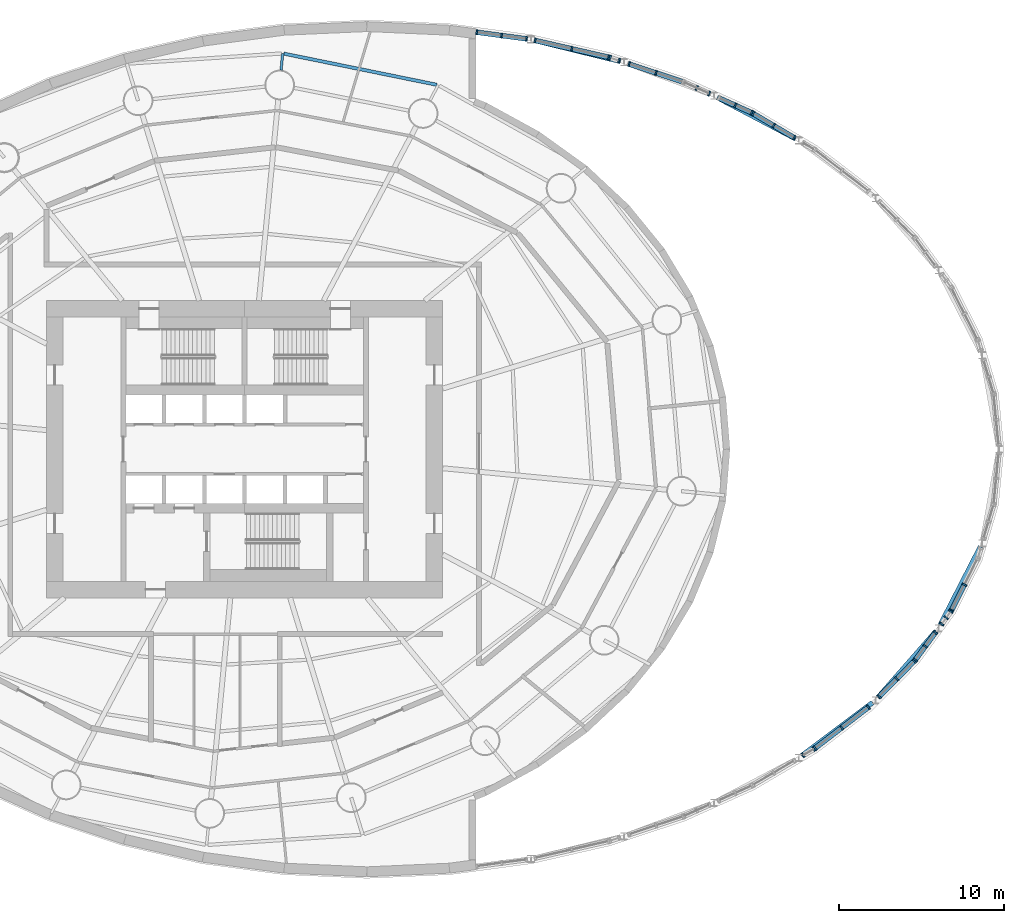
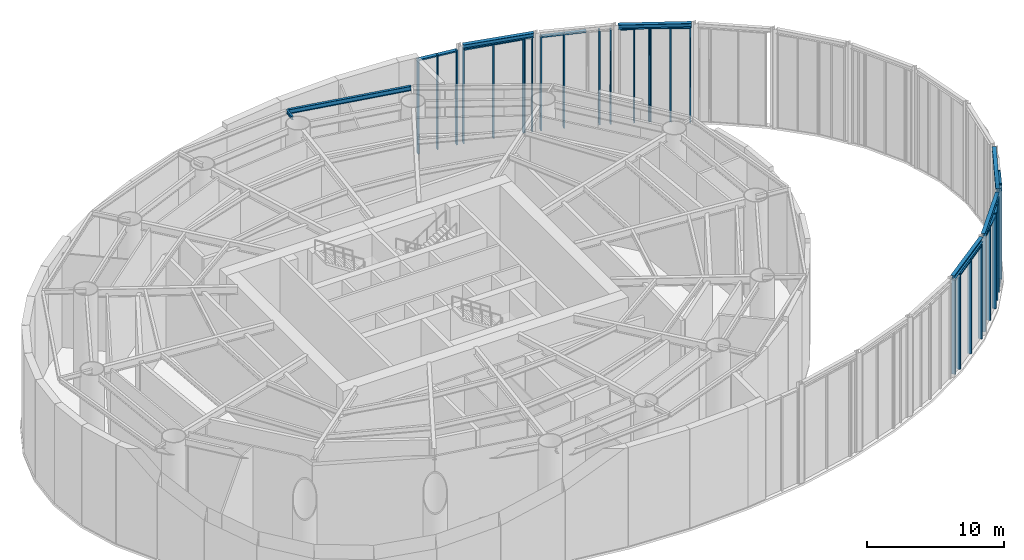
# One storey, part 7 of 19: 50 members, 7 beams, 13 elements without a shape of their own.
"""IFC4 building model written with IfcOpenShell, lengths in metres."""

from ifc_helpers import new_model, si_unit, direction, frame, origin, origin_2d, place, context, subcontext, project, spatial, rectangle, i_section, extrude, material, material_profile, profile_set, type_object, element, aggregate, save


model = new_model("IFC4")

# Units and contexts
model_context = context("Model", 3, precision=1e-05, world=origin(), true_north=direction((0.0, 1.0)))
body_context = subcontext(model_context, "Body", "Model", "MODEL_VIEW")
ifc_project = project(units=[si_unit("LENGTHUNIT", "METRE"), si_unit("AREAUNIT", "SQUARE_METRE"), si_unit("VOLUMEUNIT", "CUBIC_METRE"), si_unit("PLANEANGLEUNIT", "RADIAN"), si_unit("MASSUNIT", "GRAM", prefix="KILO")], contexts=[model_context])

# Site, building, storey
site_placement = place(None, origin())
site = spatial("IfcSite", under=ifc_project, at=site_placement, CompositionType="ELEMENT")
building_placement = place(site_placement, origin())
building = spatial("IfcBuilding", under=site, at=building_placement, Name="Vermilion Reach Broadcast Tower", CompositionType="ELEMENT")
storey_placement = place(building_placement, frame((0.0, 0.0, 8.0)))
storey = spatial("IfcBuildingStorey", under=building, at=storey_placement, Name="L01", CompositionType="ELEMENT", Elevation=8.0)

# Curtain wall, members
ifc_material_1 = material(Name="Low-e laminated clear glass in aluminium frame", Category="aluminium")
curtain_wall_type = type_object("IfcCurtainWallType", Name="Atrium outer wall curtain wall", PredefinedType="NOTDEFINED", material=ifc_material_1)
placement = place(storey_placement, origin())
curtain_wall_1 = element("IfcCurtainWall", 1, at=placement, inside=storey, type_object=curtain_wall_type, Name="Atrium wall L01 05-2", PredefinedType="NOTDEFINED")
ifc_material_2 = material(Name="Anodised aluminium", Category="aluminium")
ifc_material_profile_1 = material_profile(ifc_material_2, rectangle(XDim=0.300048828125, YDim=0.10009765625, at=origin_2d()), Name="Atrium outer wall mullion 100 x 300")
ifc_profile_set_1 = profile_set([ifc_material_profile_1], Name="Anodised aluminium")
member_type_1 = type_object("IfcMemberType", Name="Atrium outer wall mullion 100 x 300", PredefinedType="MULLION", material=ifc_profile_set_1)
member_1_placement = place(storey_placement, frame((27.849609375, -18.5361328125, 0.0), z_axis=(0.0, 0.0, 1.0), x_axis=(-0.508589622127, 0.861009057017, 0.0)))
member_1 = element("IfcMember", 2, at=member_1_placement, type_object=member_type_1, Name="Atrium wall mullion L01 05-2.1", PredefinedType="MULLION", context=body_context, shape_type="SweptSolid", body=[
    extrude(rectangle(XDim=0.300048828125, YDim=0.10009765625, at=origin_2d()), origin(), (0.0, 0.0, 1.0), 8.409912109375),
])
member_2_placement = place(storey_placement, frame((28.48388671875, -18.161376953125, 0.0), z_axis=(0.0, 0.0, 1.0), x_axis=(-0.508589622127, 0.861009057017, 0.0)))
member_2 = element("IfcMember", 3, at=member_2_placement, type_object=member_type_1, Name="Atrium wall mullion L01 05-2.2", PredefinedType="MULLION", context=body_context, shape_type="SweptSolid", body=[
    extrude(rectangle(XDim=0.300048828125, YDim=0.10009765625, at=origin_2d()), origin(), (0.0, 0.0, 1.0), 8.409912109375),
])
aggregate(curtain_wall_1, [member_1, member_2])

curtain_wall_2 = element("IfcCurtainWall", 4, at=placement, inside=storey, type_object=curtain_wall_type, Name="Atrium wall L01 06", PredefinedType="NOTDEFINED")
member_3_placement = place(storey_placement, frame((28.566650390625, -18.10546875, 0.0), z_axis=(0.0, 0.0, 1.0), x_axis=(-0.609113924113, 0.793082736826, 0.0)))
member_3 = element("IfcMember", 5, at=member_3_placement, type_object=member_type_1, Name="Atrium wall mullion L01 06.1", PredefinedType="MULLION", context=body_context, shape_type="SweptSolid", body=[
    extrude(rectangle(XDim=0.300048828125, YDim=0.10009765625, at=origin_2d()), origin(), (0.0, 0.0, 1.0), 8.409912109375),
])
member_4_placement = place(storey_placement, frame((30.17626953125, -16.869140625, 0.0), z_axis=(0.0, 0.0, 1.0), x_axis=(-0.609113924113, 0.793082736826, 0.0)))
member_4 = element("IfcMember", 6, at=member_4_placement, type_object=member_type_1, Name="Atrium wall mullion L01 06.2", PredefinedType="MULLION", context=body_context, shape_type="SweptSolid", body=[
    extrude(rectangle(XDim=0.300048828125, YDim=0.10009765625, at=origin_2d()), origin(), (0.0, 0.0, 1.0), 8.409912109375),
])
member_5_placement = place(storey_placement, frame((31.7861328125, -15.6328125, 0.0), z_axis=(0.0, 0.0, 1.0), x_axis=(-0.609113924113, 0.793082736826, 0.0)))
member_5 = element("IfcMember", 7, at=member_5_placement, type_object=member_type_1, Name="Atrium wall mullion L01 06.3", PredefinedType="MULLION", context=body_context, shape_type="SweptSolid", body=[
    extrude(rectangle(XDim=0.300048828125, YDim=0.10009765625, at=origin_2d()), origin(), (0.0, 0.0, 1.0), 8.409912109375),
])

curtain_wall_3 = element("IfcCurtainWall", 8, at=placement, inside=storey, type_object=curtain_wall_type, Name="Atrium wall L01 07", PredefinedType="NOTDEFINED")
member_6_placement = place(storey_placement, frame((32.43994140625, -14.983154296875, 0.0), z_axis=(0.0, 0.0, 1.0), x_axis=(-0.709925939614, 0.704276337997, 0.0)))
member_6 = element("IfcMember", 9, at=member_6_placement, type_object=member_type_1, Name="Atrium wall mullion L01 07.1", PredefinedType="MULLION", context=body_context, shape_type="SweptSolid", body=[
    extrude(rectangle(XDim=0.300048828125, YDim=0.10009765625, at=origin_2d()), origin(), (0.0, 0.0, 1.0), 8.409912109375),
])
member_7_placement = place(storey_placement, frame((33.5029296875, -13.911865234375, 0.0), z_axis=(0.0, 0.0, 1.0), x_axis=(-0.709925939614, 0.704276337997, 0.0)))
member_7 = element("IfcMember", 10, at=member_7_placement, type_object=member_type_1, Name="Atrium wall mullion L01 07.2", PredefinedType="MULLION", context=body_context, shape_type="SweptSolid", body=[
    extrude(rectangle(XDim=0.300048828125, YDim=0.10009765625, at=origin_2d()), origin(), (0.0, 0.0, 1.0), 8.409912109375),
])
member_8_placement = place(storey_placement, frame((34.56591796875, -12.84033203125, 0.0), z_axis=(0.0, 0.0, 1.0), x_axis=(-0.709925939614, 0.704276337997, 0.0)))
member_8 = element("IfcMember", 11, at=member_8_placement, type_object=member_type_1, Name="Atrium wall mullion L01 07.3", PredefinedType="MULLION", context=body_context, shape_type="SweptSolid", body=[
    extrude(rectangle(XDim=0.300048828125, YDim=0.10009765625, at=origin_2d()), origin(), (0.0, 0.0, 1.0), 8.409912109375),
])

curtain_wall_4 = element("IfcCurtainWall", 12, at=placement, inside=storey, type_object=curtain_wall_type, Name="Atrium wall L01 08-1", PredefinedType="NOTDEFINED")
member_9_placement = place(storey_placement, frame((34.630615234375, -12.764404296875, 0.0), z_axis=(0.0, 0.0, 1.0), x_axis=(-0.806847463604, 0.590759824697, 0.0)))
member_9 = element("IfcMember", 13, at=member_9_placement, type_object=member_type_1, Name="Atrium wall mullion L01 08-1.1", PredefinedType="MULLION", context=body_context, shape_type="SweptSolid", body=[
    extrude(rectangle(XDim=0.300048828125, YDim=0.10009765625, at=origin_2d()), origin(), (0.0, 0.0, 1.0), 8.409912109375),
])
member_10_placement = place(storey_placement, frame((35.236572265625, -11.936767578125, 0.0), z_axis=(0.0, 0.0, 1.0), x_axis=(-0.806847463604, 0.590759824697, 0.0)))
member_10 = element("IfcMember", 14, at=member_10_placement, type_object=member_type_1, Name="Atrium wall mullion L01 08-1.2", PredefinedType="MULLION", context=body_context, shape_type="SweptSolid", body=[
    extrude(rectangle(XDim=0.300048828125, YDim=0.10009765625, at=origin_2d()), origin(), (0.0, 0.0, 1.0), 8.409912109375),
])
member_11_placement = place(storey_placement, frame((35.8427734375, -11.109130859375, 0.0), z_axis=(0.0, 0.0, 1.0), x_axis=(-0.806847463604, 0.590759824697, 0.0)))
member_11 = element("IfcMember", 15, at=member_11_placement, type_object=member_type_1, Name="Atrium wall mullion L01 08-1.3", PredefinedType="MULLION", context=body_context, shape_type="SweptSolid", body=[
    extrude(rectangle(XDim=0.300048828125, YDim=0.10009765625, at=origin_2d()), origin(), (0.0, 0.0, 1.0), 8.409912109375),
])

curtain_wall_5 = element("IfcCurtainWall", 16, at=placement, inside=storey, type_object=curtain_wall_type, Name="Atrium wall L01 08-2", PredefinedType="NOTDEFINED")
member_12_placement = place(storey_placement, frame((36.2255859375, -10.586181640625, 0.0), z_axis=(0.0, 0.0, 1.0), x_axis=(-0.806847463604, 0.590759824697, 0.0)))
member_12 = element("IfcMember", 17, at=member_12_placement, type_object=member_type_1, Name="Atrium wall mullion L01 08-2.1", PredefinedType="MULLION", context=body_context, shape_type="SweptSolid", body=[
    extrude(rectangle(XDim=0.300048828125, YDim=0.10009765625, at=origin_2d()), origin(), (0.0, 0.0, 1.0), 8.409912109375),
])
member_13_placement = place(storey_placement, frame((36.501220703125, -10.209716796875, 0.0), z_axis=(0.0, 0.0, 1.0), x_axis=(-0.806847463604, 0.590759824697, 0.0)))
member_13 = element("IfcMember", 18, at=member_13_placement, type_object=member_type_1, Name="Atrium wall mullion L01 08-2.2", PredefinedType="MULLION", context=body_context, shape_type="SweptSolid", body=[
    extrude(rectangle(XDim=0.300048828125, YDim=0.10009765625, at=origin_2d()), origin(), (0.0, 0.0, 1.0), 8.409912109375),
])
member_14_placement = place(storey_placement, frame((36.777099609375, -9.8330078125, 0.0), z_axis=(0.0, 0.0, 1.0), x_axis=(-0.806847463604, 0.590759824697, 0.0)))
member_14 = element("IfcMember", 19, at=member_14_placement, type_object=member_type_1, Name="Atrium wall mullion L01 08-2.3", PredefinedType="MULLION", context=body_context, shape_type="SweptSolid", body=[
    extrude(rectangle(XDim=0.300048828125, YDim=0.10009765625, at=origin_2d()), origin(), (0.0, 0.0, 1.0), 8.409912109375),
])
aggregate(curtain_wall_5, [member_12, member_13, member_14])

curtain_wall_6 = element("IfcCurtainWall", 20, at=placement, inside=storey, type_object=curtain_wall_type, Name="Atrium wall L01 09", PredefinedType="NOTDEFINED")
member_15_placement = place(storey_placement, frame((36.8291015625, -9.748046875, 0.0), z_axis=(0.0, 0.0, 1.0), x_axis=(-0.892992378986, 0.450071784356, 0.0)))
member_15 = element("IfcMember", 21, at=member_15_placement, type_object=member_type_1, Name="Atrium wall mullion L01 09.1", PredefinedType="MULLION", context=body_context, shape_type="SweptSolid", body=[
    extrude(rectangle(XDim=0.300048828125, YDim=0.10009765625, at=origin_2d()), origin(), (0.0, 0.0, 1.0), 8.409912109375),
])
member_16_placement = place(storey_placement, frame((37.6064453125, -8.20556640625, 0.0), z_axis=(0.0, 0.0, 1.0), x_axis=(-0.892992378986, 0.450071784356, 0.0)))
member_16 = element("IfcMember", 22, at=member_16_placement, type_object=member_type_1, Name="Atrium wall mullion L01 09.2", PredefinedType="MULLION", context=body_context, shape_type="SweptSolid", body=[
    extrude(rectangle(XDim=0.300048828125, YDim=0.10009765625, at=origin_2d()), origin(), (0.0, 0.0, 1.0), 8.409912109375),
])

curtain_wall_7 = element("IfcCurtainWall", 23, at=placement, inside=storey, type_object=curtain_wall_type, Name="Atrium wall L01 18-2", PredefinedType="NOTDEFINED")
member_17_placement = place(storey_placement, frame((27.291748046875, 18.86572265625, 0.0), z_axis=(0.0, 0.0, 1.0), x_axis=(-0.508589622127, -0.861009057017, 0.0)))
member_17 = element("IfcMember", 24, at=member_17_placement, type_object=member_type_1, Name="Atrium wall mullion L01 18-2.1", PredefinedType="MULLION", context=body_context, shape_type="SweptSolid", body=[
    extrude(rectangle(XDim=0.300048828125, YDim=0.10009765625, at=origin_2d()), origin(), (0.0, 0.0, 1.0), 8.409912109375),
])
member_18_placement = place(storey_placement, frame((26.0478515625, 19.6005859375, 0.0), z_axis=(0.0, 0.0, 1.0), x_axis=(-0.508589622127, -0.861009057017, 0.0)))
member_18 = element("IfcMember", 25, at=member_18_placement, type_object=member_type_1, Name="Atrium wall mullion L01 18-2.2", PredefinedType="MULLION", context=body_context, shape_type="SweptSolid", body=[
    extrude(rectangle(XDim=0.300048828125, YDim=0.10009765625, at=origin_2d()), origin(), (0.0, 0.0, 1.0), 8.409912109375),
])
member_19_placement = place(storey_placement, frame((24.8037109375, 20.33544921875, 0.0), z_axis=(0.0, 0.0, 1.0), x_axis=(-0.508589622127, -0.861009057017, 0.0)))
member_19 = element("IfcMember", 26, at=member_19_placement, type_object=member_type_1, Name="Atrium wall mullion L01 18-2.3", PredefinedType="MULLION", context=body_context, shape_type="SweptSolid", body=[
    extrude(rectangle(XDim=0.300048828125, YDim=0.10009765625, at=origin_2d()), origin(), (0.0, 0.0, 1.0), 8.409912109375),
])

curtain_wall_8 = element("IfcCurtainWall", 27, at=placement, inside=storey, type_object=curtain_wall_type, Name="Atrium wall L01 19-1", PredefinedType="NOTDEFINED")
member_20_placement = place(storey_placement, frame((24.715087890625, 20.38134765625, 0.0), z_axis=(0.0, 0.0, 1.0), x_axis=(-0.410407876277, -0.911902064418, 0.0)))
member_20 = element("IfcMember", 28, at=member_20_placement, type_object=member_type_1, Name="Atrium wall mullion L01 19-1.1", PredefinedType="MULLION", context=body_context, shape_type="SweptSolid", body=[
    extrude(rectangle(XDim=0.300048828125, YDim=0.10009765625, at=origin_2d()), origin(), (0.0, 0.0, 1.0), 8.409912109375),
])
member_21_placement = place(storey_placement, frame((23.720947265625, 20.82861328125, 0.0), z_axis=(0.0, 0.0, 1.0), x_axis=(-0.410407876277, -0.911902064418, 0.0)))
member_21 = element("IfcMember", 29, at=member_21_placement, type_object=member_type_1, Name="Atrium wall mullion L01 19-1.2", PredefinedType="MULLION", context=body_context, shape_type="SweptSolid", body=[
    extrude(rectangle(XDim=0.300048828125, YDim=0.10009765625, at=origin_2d()), origin(), (0.0, 0.0, 1.0), 8.409912109375),
])

curtain_wall_9 = element("IfcCurtainWall", 30, at=placement, inside=storey, type_object=curtain_wall_type, Name="Atrium wall L01 19-2", PredefinedType="NOTDEFINED")
member_22_placement = place(storey_placement, frame((22.1357421875, 21.5419921875, 0.0), z_axis=(0.0, 0.0, 1.0), x_axis=(-0.410407876277, -0.911902064418, 0.0)))
member_22 = element("IfcMember", 31, at=member_22_placement, type_object=member_type_1, Name="Atrium wall mullion L01 19-2.1", PredefinedType="MULLION", context=body_context, shape_type="SweptSolid", body=[
    extrude(rectangle(XDim=0.300048828125, YDim=0.10009765625, at=origin_2d()), origin(), (0.0, 0.0, 1.0), 8.409912109375),
])
member_23_placement = place(storey_placement, frame((21.386474609375, 21.87939453125, 0.0), z_axis=(0.0, 0.0, 1.0), x_axis=(-0.410407876277, -0.911902064418, 0.0)))
member_23 = element("IfcMember", 32, at=member_23_placement, type_object=member_type_1, Name="Atrium wall mullion L01 19-2.2", PredefinedType="MULLION", context=body_context, shape_type="SweptSolid", body=[
    extrude(rectangle(XDim=0.300048828125, YDim=0.10009765625, at=origin_2d()), origin(), (0.0, 0.0, 1.0), 8.409912109375),
])
aggregate(curtain_wall_9, [member_22, member_23])

curtain_wall_10 = element("IfcCurtainWall", 33, at=placement, inside=storey, type_object=curtain_wall_type, Name="Atrium wall L01 20-1", PredefinedType="NOTDEFINED")
member_24_placement = place(storey_placement, frame((18.91796875, 22.79296875, 0.0), z_axis=(0.0, 0.0, 1.0), x_axis=(-0.315228098746, -0.949015935462, 0.0)))
member_24 = element("IfcMember", 34, at=member_24_placement, type_object=member_type_1, Name="Atrium wall mullion L01 20-1.2", PredefinedType="MULLION", context=body_context, shape_type="SweptSolid", body=[
    extrude(rectangle(XDim=0.300048828125, YDim=0.10009765625, at=origin_2d()), origin(), (0.0, 0.0, 1.0), 8.409912109375),
])
member_25_placement = place(storey_placement, frame((17.2919921875, 23.3330078125, 0.0), z_axis=(0.0, 0.0, 1.0), x_axis=(-0.315228098746, -0.949015935462, 0.0)))
member_25 = element("IfcMember", 35, at=member_25_placement, type_object=member_type_1, Name="Atrium wall mullion L01 20-1.3", PredefinedType="MULLION", context=body_context, shape_type="SweptSolid", body=[
    extrude(rectangle(XDim=0.300048828125, YDim=0.10009765625, at=origin_2d()), origin(), (0.0, 0.0, 1.0), 8.409912109375),
])

curtain_wall_11 = element("IfcCurtainWall", 36, at=placement, inside=storey, type_object=curtain_wall_type, Name="Atrium wall L01 20-2", PredefinedType="NOTDEFINED")
member_26_placement = place(storey_placement, frame((16.67724609375, 23.537353515625, 0.0), z_axis=(0.0, 0.0, 1.0), x_axis=(-0.315228098746, -0.949015935462, 0.0)))
member_26 = element("IfcMember", 37, at=member_26_placement, type_object=member_type_1, Name="Atrium wall mullion L01 20-2.1", PredefinedType="MULLION", context=body_context, shape_type="SweptSolid", body=[
    extrude(rectangle(XDim=0.300048828125, YDim=0.10009765625, at=origin_2d()), origin(), (0.0, 0.0, 1.0), 8.409912109375),
])
member_27_placement = place(storey_placement, frame((16.138427734375, 23.71630859375, 0.0), z_axis=(0.0, 0.0, 1.0), x_axis=(-0.315228098746, -0.949015935462, 0.0)))
member_27 = element("IfcMember", 38, at=member_27_placement, type_object=member_type_1, Name="Atrium wall mullion L01 20-2.2", PredefinedType="MULLION", context=body_context, shape_type="SweptSolid", body=[
    extrude(rectangle(XDim=0.300048828125, YDim=0.10009765625, at=origin_2d()), origin(), (0.0, 0.0, 1.0), 8.409912109375),
])
aggregate(curtain_wall_11, [member_26, member_27])

curtain_wall_12 = element("IfcCurtainWall", 39, at=placement, inside=storey, type_object=curtain_wall_type, Name="Atrium wall L01 21", PredefinedType="NOTDEFINED")
member_28_placement = place(storey_placement, frame((16.042236328125, 23.7431640625, 0.0), z_axis=(0.0, 0.0, 1.0), x_axis=(-0.222891523278, -0.974843253478, 0.0)))
member_28 = element("IfcMember", 40, at=member_28_placement, type_object=member_type_1, Name="Atrium wall mullion L01 21.1", PredefinedType="MULLION", context=body_context, shape_type="SweptSolid", body=[
    extrude(rectangle(XDim=0.300048828125, YDim=0.10009765625, at=origin_2d()), origin(), (0.0, 0.0, 1.0), 8.409912109375),
])
member_29_placement = place(storey_placement, frame((13.818359375, 24.251708984375, 0.0), z_axis=(0.0, 0.0, 1.0), x_axis=(-0.222891523278, -0.974843253478, 0.0)))
member_29 = element("IfcMember", 41, at=member_29_placement, type_object=member_type_1, Name="Atrium wall mullion L01 21.2", PredefinedType="MULLION", context=body_context, shape_type="SweptSolid", body=[
    extrude(rectangle(XDim=0.300048828125, YDim=0.10009765625, at=origin_2d()), origin(), (0.0, 0.0, 1.0), 8.409912109375),
])
member_30_placement = place(storey_placement, frame((11.594482421875, 24.760009765625, 0.0), z_axis=(0.0, 0.0, 1.0), x_axis=(-0.222891523278, -0.974843253478, 0.0)))
member_30 = element("IfcMember", 42, at=member_30_placement, type_object=member_type_1, Name="Atrium wall mullion L01 21.3", PredefinedType="MULLION", context=body_context, shape_type="SweptSolid", body=[
    extrude(rectangle(XDim=0.300048828125, YDim=0.10009765625, at=origin_2d()), origin(), (0.0, 0.0, 1.0), 8.409912109375),
])

curtain_wall_13 = element("IfcCurtainWall", 43, at=placement, inside=storey, type_object=curtain_wall_type, Name="Atrium wall L01 22", PredefinedType="NOTDEFINED")
member_31_placement = place(storey_placement, frame((11.075439453125, 24.85400390625, 0.0), z_axis=(0.0, 0.0, 1.0), x_axis=(-0.132793713723, -0.991143697753, 0.0)))
member_31 = element("IfcMember", 44, at=member_31_placement, type_object=member_type_1, Name="Atrium wall mullion L01 22.1", PredefinedType="MULLION", context=body_context, shape_type="SweptSolid", body=[
    extrude(rectangle(XDim=0.300048828125, YDim=0.10009765625, at=origin_2d()), origin(), (0.0, 0.0, 1.0), 8.409912109375),
])
member_32_placement = place(storey_placement, frame((9.569091796875, 25.055908203125, 0.0), z_axis=(0.0, 0.0, 1.0), x_axis=(-0.132793713723, -0.991143697753, 0.0)))
member_32 = element("IfcMember", 45, at=member_32_placement, type_object=member_type_1, Name="Atrium wall mullion L01 22.2", PredefinedType="MULLION", context=body_context, shape_type="SweptSolid", body=[
    extrude(rectangle(XDim=0.300048828125, YDim=0.10009765625, at=origin_2d()), origin(), (0.0, 0.0, 1.0), 8.409912109375),
])
member_33_placement = place(storey_placement, frame((8.062744140625, 25.257568359375, 0.0), z_axis=(0.0, 0.0, 1.0), x_axis=(-0.132793713723, -0.991143697753, 0.0)))
member_33 = element("IfcMember", 46, at=member_33_placement, type_object=member_type_1, Name="Atrium wall mullion L01 22.3", PredefinedType="MULLION", context=body_context, shape_type="SweptSolid", body=[
    extrude(rectangle(XDim=0.300048828125, YDim=0.10009765625, at=origin_2d()), origin(), (0.0, 0.0, 1.0), 8.409912109375),
])

# Member
ifc_material_3 = material(Name="Anodised aluminium", Category="aluminium")
ifc_material_profile_2 = material_profile(ifc_material_3, rectangle(XDim=0.300048828125, YDim=0.1201171875, at=origin_2d()), Name="Atrium outer wall transom 300 x 120")
ifc_profile_set_2 = profile_set([ifc_material_profile_2], Name="Anodised aluminium")
member_type_2 = type_object("IfcMemberType", Name="Atrium outer wall transom 300 x 120", PredefinedType="USERDEFINED", material=ifc_profile_set_2)
member_34_placement = place(storey_placement, frame((28.606201171875, -18.0751953125, 8.35009765625), z_axis=(0.79307054721, 0.609129794993, 0.0), x_axis=(-0.609129794993, 0.79307054721, 0.0)))
member_34 = element("IfcMember", 47, at=member_34_placement, type_object=member_type_2, Name="Atrium wall transom L01 06.1.2", ObjectType="TRANSOM", PredefinedType="USERDEFINED", context=body_context, shape_type="SweptSolid", body=[
    extrude(rectangle(XDim=0.300048828125, YDim=0.1201171875, at=origin_2d()), origin(), (0.0, 0.0, 1.0), 1.929931640625),
])

member_35_placement = place(storey_placement, frame((30.216064453125, -16.8388671875, 8.35009765625), z_axis=(0.79307054721, 0.609129794993, 0.0), x_axis=(-0.609129794993, 0.79307054721, 0.0)))
member_35 = element("IfcMember", 48, at=member_35_placement, type_object=member_type_2, Name="Atrium wall transom L01 06.2.2", ObjectType="TRANSOM", PredefinedType="USERDEFINED", context=body_context, shape_type="SweptSolid", body=[
    extrude(rectangle(XDim=0.300048828125, YDim=0.1201171875, at=origin_2d()), origin(), (0.0, 0.0, 1.0), 1.929931640625),
])

aggregate(curtain_wall_2, [member_3, member_4, member_5, member_34, member_35])

member_36_placement = place(storey_placement, frame((32.475341796875, -14.94775390625, 8.35009765625), z_axis=(0.704242454473, 0.709959551889, 0.0), x_axis=(-0.709959551889, 0.704242454473, 0.0)))
member_36 = element("IfcMember", 49, at=member_36_placement, type_object=member_type_2, Name="Atrium wall transom L01 07.1.2", ObjectType="TRANSOM", PredefinedType="USERDEFINED", context=body_context, shape_type="SweptSolid", body=[
    extrude(rectangle(XDim=0.300048828125, YDim=0.1201171875, at=origin_2d()), origin(), (0.0, 0.0, 1.0), 1.4091796875),
])

member_37_placement = place(storey_placement, frame((33.5380859375, -13.876220703125, 8.35009765625), z_axis=(0.704329761537, 0.709872937231, 0.0), x_axis=(-0.709872937231, 0.704329761537, 0.0)))
member_37 = element("IfcMember", 50, at=member_37_placement, type_object=member_type_2, Name="Atrium wall transom L01 07.2.2", ObjectType="TRANSOM", PredefinedType="USERDEFINED", context=body_context, shape_type="SweptSolid", body=[
    extrude(rectangle(XDim=0.300048828125, YDim=0.1201171875, at=origin_2d()), origin(), (0.0, 0.0, 1.0), 1.409423828125),
])

aggregate(curtain_wall_3, [member_6, member_7, member_8, member_36, member_37])

member_38_placement = place(storey_placement, frame((34.66015625, -12.72412109375, 8.35009765625), z_axis=(0.590677537, 0.806907706794, 0.0), x_axis=(-0.806907706794, 0.590677537, 0.0)))
member_38 = element("IfcMember", 51, at=member_38_placement, type_object=member_type_2, Name="Atrium wall transom L01 08-1.1.2", ObjectType="TRANSOM", PredefinedType="USERDEFINED", context=body_context, shape_type="SweptSolid", body=[
    extrude(rectangle(XDim=0.300048828125, YDim=0.1201171875, at=origin_2d()), origin(), (0.0, 0.0, 1.0), 0.92578125),
])

member_39_placement = place(storey_placement, frame((35.26611328125, -11.896484375, 8.35009765625), z_axis=(0.590849188932, 0.806782025047, 0.0), x_axis=(-0.806782025047, 0.590849188932, 0.0)))
member_39 = element("IfcMember", 52, at=member_39_placement, type_object=member_type_2, Name="Atrium wall transom L01 08-1.2.2", ObjectType="TRANSOM", PredefinedType="USERDEFINED", context=body_context, shape_type="SweptSolid", body=[
    extrude(rectangle(XDim=0.300048828125, YDim=0.1201171875, at=origin_2d()), origin(), (0.0, 0.0, 1.0), 0.926025390625),
])

aggregate(curtain_wall_4, [member_9, member_10, member_11, member_38, member_39])

member_40_placement = place(storey_placement, frame((36.8515625, -9.703369140625, 8.35009765625), z_axis=(0.450091864122, 0.892982258419, 0.0), x_axis=(-0.892982258419, 0.450091864122, 0.0)))
member_40 = element("IfcMember", 53, at=member_40_placement, type_object=member_type_2, Name="Atrium wall transom L01 09.1.2", ObjectType="TRANSOM", PredefinedType="USERDEFINED", context=body_context, shape_type="SweptSolid", body=[
    extrude(rectangle(XDim=0.300048828125, YDim=0.1201171875, at=origin_2d()), origin(), (0.0, 0.0, 1.0), 1.627197265625),
])

aggregate(curtain_wall_6, [member_15, member_16, member_40])

member_41_placement = place(storey_placement, frame((27.248779296875, 18.89111328125, 8.35009765625), z_axis=(-0.861060223376, 0.508502990866, 0.0), x_axis=(-0.508502990866, -0.861060223376, 0.0)))
member_41 = element("IfcMember", 54, at=member_41_placement, type_object=member_type_2, Name="Atrium wall transom L01 18-2.1.2", ObjectType="TRANSOM", PredefinedType="USERDEFINED", context=body_context, shape_type="SweptSolid", body=[
    extrude(rectangle(XDim=0.300048828125, YDim=0.1201171875, at=origin_2d()), origin(), (0.0, 0.0, 1.0), 1.3447265625),
])

member_42_placement = place(storey_placement, frame((26.004638671875, 19.6259765625, 8.35009765625), z_axis=(-0.861060223376, 0.508502990866, 0.0), x_axis=(-0.508502990866, -0.861060223376, 0.0)))
member_42 = element("IfcMember", 55, at=member_42_placement, type_object=member_type_2, Name="Atrium wall transom L01 18-2.2.2", ObjectType="TRANSOM", PredefinedType="USERDEFINED", context=body_context, shape_type="SweptSolid", body=[
    extrude(rectangle(XDim=0.300048828125, YDim=0.1201171875, at=origin_2d()), origin(), (0.0, 0.0, 1.0), 1.3447265625),
])

aggregate(curtain_wall_7, [member_17, member_18, member_19, member_41, member_42])

member_43_placement = place(storey_placement, frame((24.66943359375, 20.40185546875, 8.35009765625), z_axis=(-0.911972242519, 0.410251909044, 0.0), x_axis=(-0.410251909044, -0.911972242519, 0.0)))
member_43 = element("IfcMember", 56, at=member_43_placement, type_object=member_type_2, Name="Atrium wall transom L01 19-1.1.2", ObjectType="TRANSOM", PredefinedType="USERDEFINED", context=body_context, shape_type="SweptSolid", body=[
    extrude(rectangle(XDim=0.300048828125, YDim=0.1201171875, at=origin_2d()), origin(), (0.0, 0.0, 1.0), 0.990234375),
])

member_44_placement = place(storey_placement, frame((23.67529296875, 20.84912109375, 8.35009765625), z_axis=(-0.911879986632, 0.410456928289, 0.0), x_axis=(-0.410456928289, -0.911879986632, 0.0)))
member_44 = element("IfcMember", 57, at=member_44_placement, type_object=member_type_2, Name="Atrium wall transom L01 19-1.2.2", ObjectType="TRANSOM", PredefinedType="USERDEFINED", context=body_context, shape_type="SweptSolid", body=[
    extrude(rectangle(XDim=0.300048828125, YDim=0.1201171875, at=origin_2d()), origin(), (0.0, 0.0, 1.0), 0.990234375),
])

aggregate(curtain_wall_8, [member_20, member_21, member_43, member_44])

member_45_placement = place(storey_placement, frame((20.49658203125, 22.2685546875, 8.35009765625), z_axis=(-0.949015707131, 0.315228786151, 0.0), x_axis=(-0.315228786151, -0.949015707131, 0.0)))
member_45 = element("IfcMember", 58, at=member_45_placement, type_object=member_type_2, Name="Atrium wall transom L01 20-1.1.2", ObjectType="TRANSOM", PredefinedType="USERDEFINED", context=body_context, shape_type="SweptSolid", body=[
    extrude(rectangle(XDim=0.300048828125, YDim=0.1201171875, at=origin_2d()), origin(), (0.0, 0.0, 1.0), 1.61328125),
])

member_46_placement = place(storey_placement, frame((18.87060546875, 22.808837890625, 8.35009765625), z_axis=(-0.949015707131, 0.315228786151, 0.0), x_axis=(-0.315228786151, -0.949015707131, 0.0)))
member_46 = element("IfcMember", 59, at=member_46_placement, type_object=member_type_2, Name="Atrium wall transom L01 20-1.2.2", ObjectType="TRANSOM", PredefinedType="USERDEFINED", context=body_context, shape_type="SweptSolid", body=[
    extrude(rectangle(XDim=0.300048828125, YDim=0.1201171875, at=origin_2d()), origin(), (0.0, 0.0, 1.0), 1.61328125),
])

aggregate(curtain_wall_10, [member_24, member_25, member_45, member_46])

member_47_placement = place(storey_placement, frame((15.99365234375, 23.75439453125, 8.35009765625), z_axis=(-0.97485503326, 0.222839996696, 0.0), x_axis=(-0.222839996696, -0.97485503326, 0.0)))
member_47 = element("IfcMember", 60, at=member_47_placement, type_object=member_type_2, Name="Atrium wall transom L01 21.1.2", ObjectType="TRANSOM", PredefinedType="USERDEFINED", context=body_context, shape_type="SweptSolid", body=[
    extrude(rectangle(XDim=0.300048828125, YDim=0.1201171875, at=origin_2d()), origin(), (0.0, 0.0, 1.0), 2.181396484375),
])

member_48_placement = place(storey_placement, frame((13.769775390625, 24.2626953125, 8.35009765625), z_axis=(-0.97483071414, 0.222946358504, 0.0), x_axis=(-0.222946358504, -0.97483071414, 0.0)))
member_48 = element("IfcMember", 61, at=member_48_placement, type_object=member_type_2, Name="Atrium wall transom L01 21.2.2", ObjectType="TRANSOM", PredefinedType="USERDEFINED", context=body_context, shape_type="SweptSolid", body=[
    extrude(rectangle(XDim=0.300048828125, YDim=0.1201171875, at=origin_2d()), origin(), (0.0, 0.0, 1.0), 2.181396484375),
])

aggregate(curtain_wall_12, [member_28, member_29, member_30, member_47, member_48])

member_49_placement = place(storey_placement, frame((11.02587890625, 24.860595703125, 8.35009765625), z_axis=(-0.991149634463, 0.132749395872, 0.0), x_axis=(-0.132749395872, -0.991149634463, 0.0)))
member_49 = element("IfcMember", 62, at=member_49_placement, type_object=member_type_2, Name="Atrium wall transom L01 22.1.2", ObjectType="TRANSOM", PredefinedType="USERDEFINED", context=body_context, shape_type="SweptSolid", body=[
    extrude(rectangle(XDim=0.300048828125, YDim=0.1201171875, at=origin_2d()), origin(), (0.0, 0.0, 1.0), 1.419677734375),
])

member_50_placement = place(storey_placement, frame((9.51953125, 25.0625, 8.35009765625), z_axis=(-0.991149634463, 0.132749395872, 0.0), x_axis=(-0.132749395872, -0.991149634463, 0.0)))
member_50 = element("IfcMember", 63, at=member_50_placement, type_object=member_type_2, Name="Atrium wall transom L01 22.2.2", ObjectType="TRANSOM", PredefinedType="USERDEFINED", context=body_context, shape_type="SweptSolid", body=[
    extrude(rectangle(XDim=0.300048828125, YDim=0.1201171875, at=origin_2d()), origin(), (0.0, 0.0, 1.0), 1.419677734375),
])

aggregate(curtain_wall_13, [member_31, member_32, member_33, member_49, member_50])

# Beams
ifc_material_4 = material(Name="Steel S355J2", Category="steel")
ifc_material_profile_3 = material_profile(ifc_material_4, i_section(OverallWidth=0.199951171875, OverallDepth=0.39990234375, WebThickness=0.008056640625, FlangeThickness=0.012939453125, at=origin_2d()), Name="S355J2 HN 400x200x8x13")
ifc_profile_set_3 = profile_set([ifc_material_profile_3], Name="Steel S355J2")
beam_type_1 = type_object("IfcBeamType", Name="EB1 HN 400x200x8x13", PredefinedType="BEAM", material=ifc_profile_set_3)
beam_1_placement = place(storey_placement, frame((5.64697265625, 22.07373046875, 8.60009765625), z_axis=(-0.979888700242, 0.199544819871, 0.0), x_axis=(-0.199544819871, -0.979888700242, 0.0)))
element("IfcBeam", 64, at=beam_1_placement, inside=storey, type_object=beam_type_1, Name="Edge beam EB1-03", PredefinedType="BEAM", context=body_context, shape_type="SweptSolid", body=[
    extrude(i_section(OverallWidth=0.199951171875, OverallDepth=0.39990234375, WebThickness=0.008056640625, FlangeThickness=0.012939453125, at=origin_2d()), origin(), (0.0, 0.0, 1.0), 9.458740234375),
])
ifc_material_5 = material(Name="Steel S355J2", Category="steel")
ifc_material_profile_4 = material_profile(ifc_material_5, i_section(OverallWidth=0.14990234375, OverallDepth=0.300048828125, WebThickness=0.006591796875, FlangeThickness=0.009033203125, at=origin_2d()), Name="S355J2 HN 300x150x6.5x9")
ifc_profile_set_4 = profile_set([ifc_material_profile_4], Name="Steel S355J2")
beam_type_2 = type_object("IfcBeamType", Name="GS1 HN 300x150x6.5x9", PredefinedType="BEAM", material=ifc_profile_set_4)
beam_2_placement = place(storey_placement, frame((-3.793212890625, 22.959716796875, 8.64990234375), z_axis=(0.095621304963, 0.99541778467, 0.0), x_axis=(-0.99541778467, 0.095621304963, 0.0)))
element("IfcBeam", 65, at=beam_2_placement, inside=storey, type_object=beam_type_2, Name="Cantilever stub GS1-04", PredefinedType="BEAM", context=body_context, shape_type="SweptSolid", body=[
    extrude(i_section(OverallWidth=0.14990234375, OverallDepth=0.300048828125, WebThickness=0.006591796875, FlangeThickness=0.009033203125, at=origin_2d()), origin(), (0.0, 0.0, 1.0), 1.021240234375),
])
ifc_material_6 = material(Name="Steel S355J2", Category="steel")
ifc_material_profile_5 = material_profile(ifc_material_6, i_section(OverallWidth=0.300048828125, OverallDepth=0.389892578125, WebThickness=0.010009765625, FlangeThickness=0.01611328125, at=origin_2d()), Name="S355J2 HM 390x300x10x16")
ifc_profile_set_5 = profile_set([ifc_material_profile_5], Name="Steel S355J2")
beam_type_3 = type_object("IfcBeamType", Name="RM1 HM 390x300x10x16", PredefinedType="BEAM", material=ifc_profile_set_5)
beam_3_placement = place(storey_placement, frame((27.74658203125, -18.568603515625, 8.60498046875), z_axis=(0.799426308376, 0.600764161278, 0.0), x_axis=(-0.600764161278, 0.799426308376, 0.0)))
element("IfcBeam", 66, at=beam_3_placement, inside=storey, type_object=beam_type_3, Name="Rim beam AP04-AP05", PredefinedType="BEAM", context=body_context, shape_type="SweptSolid", body=[
    extrude(i_section(OverallWidth=0.300048828125, OverallDepth=0.389892578125, WebThickness=0.010009765625, FlangeThickness=0.01611328125, at=origin_2d()), origin(), (0.0, 0.0, 1.0), 5.365478515625),
])
beam_4_placement = place(storey_placement, frame((32.356689453125, -15.047607421875, 8.60498046875), z_axis=(0.658704425983, 0.752401807009, 0.0), x_axis=(-0.752401807009, 0.658704425983, 0.0)))
element("IfcBeam", 67, at=beam_4_placement, inside=storey, type_object=beam_type_3, Name="Rim beam AP05-AP06", PredefinedType="BEAM", context=body_context, shape_type="SweptSolid", body=[
    extrude(i_section(OverallWidth=0.300048828125, OverallDepth=0.389892578125, WebThickness=0.010009765625, FlangeThickness=0.01611328125, at=origin_2d()), origin(), (0.0, 0.0, 1.0), 5.3623046875),
])
beam_5_placement = place(storey_placement, frame((36.13427734375, -10.65185546875, 8.60498046875), z_axis=(0.456870131235, 0.889533407571, 0.0), x_axis=(-0.889533407571, 0.456870131235, 0.0)))
element("IfcBeam", 68, at=beam_5_placement, inside=storey, type_object=beam_type_3, Name="Rim beam AP06-AP07", PredefinedType="BEAM", context=body_context, shape_type="SweptSolid", body=[
    extrude(i_section(OverallWidth=0.300048828125, OverallDepth=0.389892578125, WebThickness=0.010009765625, FlangeThickness=0.01611328125, at=origin_2d()), origin(), (0.0, 0.0, 1.0), 5.345458984375),
])
beam_6_placement = place(storey_placement, frame((27.3759765625, 18.80322265625, 8.60498046875), z_axis=(-0.884684356477, 0.46619050763, 0.0), x_axis=(-0.46619050763, -0.884684356477, 0.0)))
element("IfcBeam", 69, at=beam_6_placement, inside=storey, type_object=beam_type_3, Name="Rim beam AP12-AP13", PredefinedType="BEAM", context=body_context, shape_type="SweptSolid", body=[
    extrude(i_section(OverallWidth=0.300048828125, OverallDepth=0.389892578125, WebThickness=0.010009765625, FlangeThickness=0.01611328125, at=origin_2d()), origin(), (0.0, 0.0, 1.0), 5.369384765625),
])
beam_7_placement = place(storey_placement, frame((16.77099609375, 23.487548828125, 8.60498046875), z_axis=(-0.97127010403, 0.237979799598, 0.0), x_axis=(-0.237979799598, -0.97127010403, 0.0)))
element("IfcBeam", 70, at=beam_7_placement, inside=storey, type_object=beam_type_3, Name="Rim beam AP14-AP15", PredefinedType="BEAM", context=body_context, shape_type="SweptSolid", body=[
    extrude(i_section(OverallWidth=0.300048828125, OverallDepth=0.389892578125, WebThickness=0.010009765625, FlangeThickness=0.01611328125, at=origin_2d()), origin(), (0.0, 0.0, 1.0), 5.37451171875),
])

save(model, "model.ifc")
